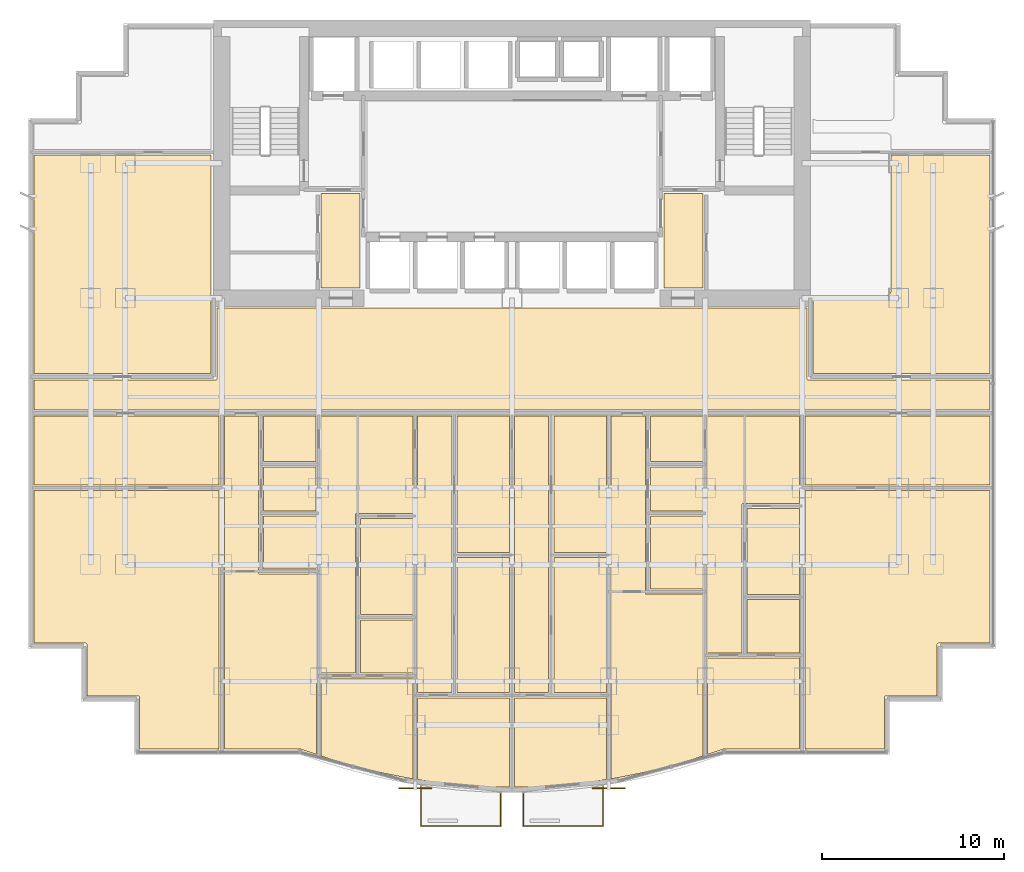
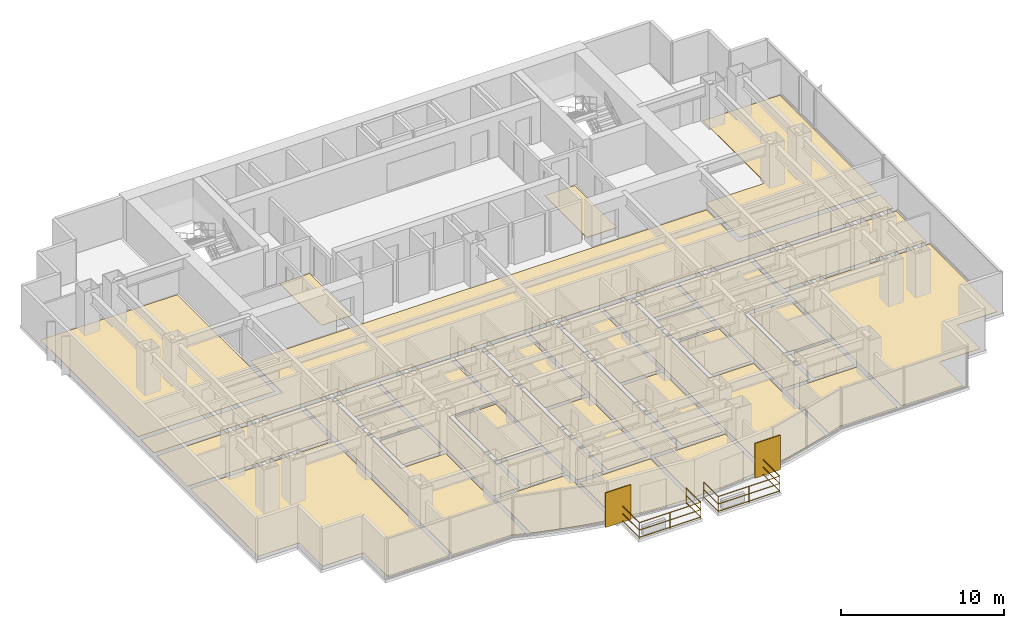
# One storey, part 11 of 12: 33 coverings, 2 railings, 2 shading devices.
"""IFC4 building model written with IfcOpenShell, lengths in metres."""

from ifc_helpers import new_model, si_unit, direction, frame, origin, origin_2d, place, context, subcontext, project, spatial, polyline, rectangle, circle, outline, extrude, source, transform, mapped, material, layer, layer_set, type_object, element, save


model = new_model("IFC4")

# Units and contexts
model_context = context("Model", 3, precision=1e-05, world=origin(), true_north=direction((0.0, 1.0)))
body_context = subcontext(model_context, "Body", "Model", "MODEL_VIEW")
ifc_project = project(units=[si_unit("LENGTHUNIT", "METRE"), si_unit("AREAUNIT", "SQUARE_METRE"), si_unit("VOLUMEUNIT", "CUBIC_METRE"), si_unit("PLANEANGLEUNIT", "RADIAN"), si_unit("MASSUNIT", "GRAM", prefix="KILO")], contexts=[model_context])

# Site, building, storey
site_placement = place(None, origin())
site = spatial("IfcSite", under=ifc_project, at=site_placement, CompositionType="ELEMENT")
building_placement = place(site_placement, origin())
building = spatial("IfcBuilding", under=site, at=building_placement, Name="Qianlan Lanfeng Residences", CompositionType="ELEMENT")
storey_placement = place(building_placement, frame((0.0, 0.0, 63.800048828125)))
storey = spatial("IfcBuildingStorey", under=building, at=storey_placement, Name="L17", CompositionType="ELEMENT", Elevation=63.800048828125)

# Coverings
ifc_material_1 = material(Name="Honed Taitung Granite Stone Flooring", Category="masonry")
ifc_layer_1 = layer(ifc_material_1, 0.030029296875)
ifc_layer_set_1 = layer_set([ifc_layer_1], Name="Honed Taitung Granite Stone Flooring")
covering_type_1 = type_object("IfcCoveringType", Name="FLR-STN-30", PredefinedType="FLOORING", material=ifc_layer_set_1)
covering_1_placement = place(storey_placement, origin())
element("IfcCovering", 1, at=covering_1_placement, inside=storey, type_object=covering_type_1, Name="L17 Residential Corridor Floor Finish", PredefinedType="FLOORING", context=body_context, shape_type="SweptSolid", body=[
    extrude(outline(polyline([(0.2900390625, 19.080078125), (52.7099609375, 19.080078125), (52.7099609375, 20.719970703125), (42.739990234375, 20.719970703125), (42.73291015625, 20.719970703125), (42.72607421875, 20.720947265625), (42.719970703125, 20.722900390625), (42.712890625, 20.72509765625), (42.70703125, 20.72802734375), (42.700927734375, 20.73193359375), (42.696044921875, 20.736083984375), (42.69091796875, 20.740966796875), (42.68603515625, 20.74609375), (42.681884765625, 20.7509765625), (42.677978515625, 20.757080078125), (42.675048828125, 20.762939453125), (42.673095703125, 20.77001953125), (42.6708984375, 20.77587890625), (42.669921875, 20.782958984375), (42.669921875, 20.7900390625), (42.669921875, 24.64990234375), (10.330078125, 24.64990234375), (10.330078125, 20.7900390625), (10.330078125, 20.782958984375), (10.3291015625, 20.77587890625), (10.326904296875, 20.77001953125), (10.324951171875, 20.762939453125), (10.322021484375, 20.757080078125), (10.318115234375, 20.7509765625), (10.31396484375, 20.74609375), (10.30908203125, 20.740966796875), (10.303955078125, 20.736083984375), (10.299072265625, 20.73193359375), (10.29296875, 20.72802734375), (10.287109375, 20.72509765625), (10.280029296875, 20.722900390625), (10.27392578125, 20.720947265625), (10.26708984375, 20.719970703125), (10.260009765625, 20.719970703125), (0.2900390625, 20.719970703125), (0.2900390625, 19.080078125)])), origin(), (0.0, 0.0, 1.0), 0.030029296875),
])
covering_2_placement = place(storey_placement, origin())
element("IfcCovering", 2, at=covering_2_placement, inside=storey, type_object=covering_type_1, Name="L17 Lift Lobby Floor Finish", PredefinedType="FLOORING", context=body_context, shape_type="SweptSolid", body=[
    extrude(outline(polyline([(16.030029296875, 25.760009765625), (18.169921875, 25.760009765625), (18.169921875, 30.949951171875), (16.030029296875, 30.949951171875), (16.030029296875, 25.760009765625)])), origin(), (0.0, 0.0, 1.0), 0.030029296875),
])
covering_3_placement = place(storey_placement, origin())
element("IfcCovering", 3, at=covering_3_placement, inside=storey, type_object=covering_type_1, Name="L17 Lift Lobby Floor Finish", PredefinedType="FLOORING", context=body_context, shape_type="SweptSolid", body=[
    extrude(outline(polyline([(34.830078125, 25.760009765625), (36.969970703125, 25.760009765625), (36.969970703125, 30.949951171875), (34.830078125, 30.949951171875), (34.830078125, 25.760009765625)])), origin(), (0.0, 0.0, 1.0), 0.030029296875),
])
ifc_material_2 = material(Name="Slip-Resistant Porcelain Tile Flooring")
ifc_layer_2 = layer(ifc_material_2, 0.02001953125)
ifc_layer_set_2 = layer_set([ifc_layer_2], Name="Slip-Resistant Porcelain Tile Flooring")
covering_type_2 = type_object("IfcCoveringType", Name="FLR-TIL-20", PredefinedType="FLOORING", material=ifc_layer_set_2)
covering_4_placement = place(storey_placement, origin())
element("IfcCovering", 4, at=covering_4_placement, inside=storey, type_object=covering_type_2, Name="L17 Kitchen Floor Finish", PredefinedType="FLOORING", context=body_context, shape_type="SweptSolid", body=[
    extrude(outline(polyline([(12.889892578125, 13.5400390625), (15.760009765625, 13.5400390625), (15.760009765625, 15.9599609375), (12.889892578125, 15.9599609375), (12.889892578125, 13.5400390625)])), origin(), (0.0, 0.0, 1.0), 0.02001953125),
])
covering_5_placement = place(storey_placement, origin())
element("IfcCovering", 5, at=covering_5_placement, inside=storey, type_object=covering_type_2, Name="L17 Bathroom Floor Finish", PredefinedType="FLOORING", context=body_context, shape_type="SweptSolid", body=[
    extrude(outline(polyline([(12.889892578125, 16.239990234375), (15.760009765625, 16.239990234375), (15.760009765625, 18.72998046875), (12.889892578125, 18.72998046875), (12.889892578125, 16.239990234375)])), origin(), (0.0, 0.0, 1.0), 0.02001953125),
])
covering_6_placement = place(storey_placement, origin())
element("IfcCovering", 6, at=covering_6_placement, inside=storey, type_object=covering_type_2, Name="L17 En-Suite Bathroom Floor Finish", PredefinedType="FLOORING", context=body_context, shape_type="SweptSolid", body=[
    extrude(outline(polyline([(18.18994140625, 4.652099609375), (21.070068359375, 4.652099609375), (21.070068359375, 7.572021484375), (18.18994140625, 7.572021484375), (18.18994140625, 4.652099609375)])), origin(), (0.0, 0.0, 1.0), 0.02001953125),
])
covering_7_placement = place(storey_placement, origin())
element("IfcCovering", 7, at=covering_7_placement, inside=storey, type_object=covering_type_2, Name="L17 Kitchen Floor Finish", PredefinedType="FLOORING", context=body_context, shape_type="SweptSolid", body=[
    extrude(outline(polyline([(34.090087890625, 13.5400390625), (36.9599609375, 13.5400390625), (36.9599609375, 15.9599609375), (34.090087890625, 15.9599609375), (34.090087890625, 13.5400390625)])), origin(), (0.0, 0.0, 1.0), 0.02001953125),
])
covering_8_placement = place(storey_placement, origin())
element("IfcCovering", 8, at=covering_8_placement, inside=storey, type_object=covering_type_2, Name="L17 Bathroom Floor Finish", PredefinedType="FLOORING", context=body_context, shape_type="SweptSolid", body=[
    extrude(outline(polyline([(34.090087890625, 16.239990234375), (36.9599609375, 16.239990234375), (36.9599609375, 18.72998046875), (34.090087890625, 18.72998046875), (34.090087890625, 16.239990234375)])), origin(), (0.0, 0.0, 1.0), 0.02001953125),
])
covering_9_placement = place(storey_placement, origin())
element("IfcCovering", 9, at=covering_9_placement, inside=storey, type_object=covering_type_2, Name="L17 En-Suite Bathroom Floor Finish", PredefinedType="FLOORING", context=body_context, shape_type="SweptSolid", body=[
    extrude(outline(polyline([(39.389892578125, 5.760009765625), (42.27001953125, 5.760009765625), (42.27001953125, 8.679931640625), (39.389892578125, 8.679931640625), (39.389892578125, 5.760009765625)])), origin(), (0.0, 0.0, 1.0), 0.02001953125),
])
ifc_material_3 = material(Name="Engineered Smoked Oak Timber Flooring", Category="wood")
ifc_layer_3 = layer(ifc_material_3, 0.02197265625)
ifc_layer_set_3 = layer_set([ifc_layer_3], Name="Engineered Smoked Oak Timber Flooring")
covering_type_3 = type_object("IfcCoveringType", Name="FLR-TIM-22", PredefinedType="FLOORING", material=ifc_layer_set_3)
covering_10_placement = place(storey_placement, origin())
element("IfcCovering", 10, at=covering_10_placement, inside=storey, type_object=covering_type_3, Name="L17 Living and Dining Room Floor Finish", PredefinedType="FLOORING", context=body_context, shape_type="SweptSolid", body=[
    extrude(outline(polyline([(15.77001953125, 0.195068359375), (15.77001953125, 10.080078125), (12.679931640625, 10.080078125), (12.673095703125, 10.080078125), (12.666015625, 10.0810546875), (12.659912109375, 10.0830078125), (12.653076171875, 10.0849609375), (12.64697265625, 10.087890625), (12.64111328125, 10.092041015625), (12.635986328125, 10.095947265625), (12.631103515625, 10.10107421875), (12.6259765625, 10.10595703125), (12.6220703125, 10.111083984375), (12.617919921875, 10.116943359375), (12.614990234375, 10.123046875), (12.613037109375, 10.1298828125), (12.611083984375, 10.135986328125), (12.610107421875, 10.14306640625), (12.610107421875, 10.14990234375), (12.610107421875, 18.72998046875), (10.72998046875, 18.72998046875), (10.72998046875, 0.489990234375), (14.885986328125, 0.489990234375), (14.89404296875, 0.489990234375), (14.90087890625, 0.488037109375), (14.908935546875, 0.486083984375), (15.77001953125, 0.195068359375)])), origin(), (0.0, 0.0, 1.0), 0.02197265625),
])
covering_11_placement = place(storey_placement, origin())
element("IfcCovering", 11, at=covering_11_placement, inside=storey, type_object=covering_type_3, Name="L17 Private Study Floor Finish", PredefinedType="FLOORING", context=body_context, shape_type="SweptSolid", body=[
    extrude(outline(polyline([(12.889892578125, 13.260009765625), (12.889892578125, 10.360107421875), (15.77001953125, 10.360107421875), (15.77001953125, 13.260009765625), (12.889892578125, 13.260009765625)])), origin(), (0.0, 0.0, 1.0), 0.02197265625),
])
covering_12_placement = place(storey_placement, origin())
element("IfcCovering", 12, at=covering_12_placement, inside=storey, type_object=covering_type_3, Name="L17 Private Study Floor Finish", PredefinedType="FLOORING", context=body_context, shape_type="SweptSolid", body=[
    extrude(outline(polyline([(18.18994140625, 7.85205078125), (21.070068359375, 7.85205078125), (21.070068359375, 13.115966796875), (18.18994140625, 13.115966796875), (18.18994140625, 7.85205078125)])), origin(), (0.0, 0.0, 1.0), 0.02197265625),
])
covering_13_placement = place(storey_placement, origin())
element("IfcCovering", 13, at=covering_13_placement, inside=storey, type_object=covering_type_3, Name="L17 Villa Family Sitting Room Floor Finish", PredefinedType="FLOORING", context=body_context, shape_type="SweptSolid", body=[
    extrude(outline(polyline([(16.030029296875, 4.652099609375), (17.909912109375, 4.652099609375), (17.909912109375, 13.325927734375), (17.909912109375, 13.3330078125), (17.910888671875, 13.340087890625), (17.9130859375, 13.345947265625), (17.9150390625, 13.35302734375), (17.91796875, 13.35888671875), (17.922119140625, 13.364990234375), (17.926025390625, 13.3701171875), (17.930908203125, 13.375), (17.93603515625, 13.3798828125), (17.94091796875, 13.384033203125), (17.947021484375, 13.387939453125), (17.952880859375, 13.39111328125), (17.9599609375, 13.39306640625), (17.966064453125, 13.39501953125), (17.972900390625, 13.39599609375), (17.97998046875, 13.39599609375), (21.070068359375, 13.39599609375), (21.070068359375, 18.72998046875), (16.030029296875, 18.72998046875), (16.030029296875, 4.652099609375)])), origin(), (0.0, 0.0, 1.0), 0.02197265625),
])
covering_14_placement = place(storey_placement, origin())
element("IfcCovering", 14, at=covering_14_placement, inside=storey, type_object=covering_type_3, Name="L17 Master Bedroom Floor Finish", PredefinedType="FLOORING", context=body_context, shape_type="SweptSolid", body=[
    extrude(outline(polyline([(16.030029296875, 4.3720703125), (16.030029296875, 0.10693359375), (16.39306640625, -0.014892578125), (17.837890625, -0.43896484375), (19.282958984375, -0.797119140625), (20.72607421875, -1.090087890625), (21.070068359375, -1.14404296875), (21.070068359375, 4.3720703125), (16.030029296875, 4.3720703125)])), origin(), (0.0, 0.0, 1.0), 0.02197265625),
])
covering_15_placement = place(storey_placement, origin())
element("IfcCovering", 15, at=covering_15_placement, inside=storey, type_object=covering_type_3, Name="L17 Bedroom Floor Finish", PredefinedType="FLOORING", context=body_context, shape_type="SweptSolid", body=[
    extrude(outline(polyline([(21.330078125, 3.2939453125), (21.330078125, -1.18505859375), (22.169921875, -1.318115234375), (23.613037109375, -1.47998046875), (25.056884765625, -1.576904296875), (26.3701171875, -1.60693359375), (26.3701171875, 3.2939453125), (21.330078125, 3.2939453125)])), origin(), (0.0, 0.0, 1.0), 0.02197265625),
])
covering_16_placement = place(storey_placement, origin())
element("IfcCovering", 16, at=covering_16_placement, inside=storey, type_object=covering_type_3, Name="L17 Private Study Floor Finish", PredefinedType="FLOORING", context=body_context, shape_type="SweptSolid", body=[
    extrude(outline(polyline([(23.489990234375, 3.573974609375), (26.3701171875, 3.573974609375), (26.3701171875, 10.97705078125), (23.489990234375, 10.97705078125), (23.489990234375, 3.573974609375)])), origin(), (0.0, 0.0, 1.0), 0.02197265625),
])
covering_17_placement = place(storey_placement, origin())
element("IfcCovering", 17, at=covering_17_placement, inside=storey, type_object=covering_type_3, Name="L17 Yoga Studio Floor Finish", PredefinedType="FLOORING", context=body_context, shape_type="SweptSolid", body=[
    extrude(outline(polyline([(23.489990234375, 11.257080078125), (26.3701171875, 11.257080078125), (26.3701171875, 18.72998046875), (23.489990234375, 18.72998046875), (23.489990234375, 11.257080078125)])), origin(), (0.0, 0.0, 1.0), 0.02197265625),
])
covering_18_placement = place(storey_placement, origin())
element("IfcCovering", 18, at=covering_18_placement, inside=storey, type_object=covering_type_3, Name="L17 Home Office Floor Finish", PredefinedType="FLOORING", context=body_context, shape_type="SweptSolid", body=[
    extrude(outline(polyline([(21.330078125, 3.573974609375), (23.2099609375, 3.573974609375), (23.2099609375, 18.72998046875), (21.330078125, 18.72998046875), (21.330078125, 3.573974609375)])), origin(), (0.0, 0.0, 1.0), 0.02197265625),
])
covering_19_placement = place(storey_placement, origin())
element("IfcCovering", 19, at=covering_19_placement, inside=storey, type_object=covering_type_3, Name="L17 Guest Bedroom Floor Finish", PredefinedType="FLOORING", context=body_context, shape_type="SweptSolid", body=[
    extrude(outline(polyline([(26.6298828125, 3.2939453125), (26.6298828125, -1.60693359375), (27.943115234375, -1.576904296875), (29.385986328125, -1.47998046875), (30.830078125, -1.318115234375), (31.669921875, -1.18505859375), (31.669921875, 3.2939453125), (26.6298828125, 3.2939453125)])), origin(), (0.0, 0.0, 1.0), 0.02197265625),
])
covering_20_placement = place(storey_placement, origin())
element("IfcCovering", 20, at=covering_20_placement, inside=storey, type_object=covering_type_3, Name="L17 Private Study Floor Finish", PredefinedType="FLOORING", context=body_context, shape_type="SweptSolid", body=[
    extrude(outline(polyline([(28.7900390625, 3.573974609375), (31.669921875, 3.573974609375), (31.669921875, 10.97705078125), (28.7900390625, 10.97705078125), (28.7900390625, 3.573974609375)])), origin(), (0.0, 0.0, 1.0), 0.02197265625),
])
covering_21_placement = place(storey_placement, origin())
element("IfcCovering", 21, at=covering_21_placement, inside=storey, type_object=covering_type_3, Name="L17 Yoga Studio Floor Finish", PredefinedType="FLOORING", context=body_context, shape_type="SweptSolid", body=[
    extrude(outline(polyline([(28.7900390625, 11.257080078125), (31.669921875, 11.257080078125), (31.669921875, 18.72998046875), (28.7900390625, 18.72998046875), (28.7900390625, 11.257080078125)])), origin(), (0.0, 0.0, 1.0), 0.02197265625),
])
covering_22_placement = place(storey_placement, origin())
element("IfcCovering", 22, at=covering_22_placement, inside=storey, type_object=covering_type_3, Name="L17 Home Office Floor Finish", PredefinedType="FLOORING", context=body_context, shape_type="SweptSolid", body=[
    extrude(outline(polyline([(26.6298828125, 3.573974609375), (28.510009765625, 3.573974609375), (28.510009765625, 18.72998046875), (26.6298828125, 18.72998046875), (26.6298828125, 3.573974609375)])), origin(), (0.0, 0.0, 1.0), 0.02197265625),
])
covering_23_placement = place(storey_placement, origin())
element("IfcCovering", 23, at=covering_23_placement, inside=storey, type_object=covering_type_3, Name="L17 Living and Dining Room Floor Finish", PredefinedType="FLOORING", context=body_context, shape_type="SweptSolid", body=[
    extrude(outline(polyline([(36.969970703125, 0.10693359375), (36.969970703125, 8.972900390625), (33.8798828125, 8.972900390625), (33.873046875, 8.972900390625), (33.865966796875, 8.97412109375), (33.860107421875, 8.97607421875), (33.85302734375, 8.97802734375), (33.846923828125, 8.98095703125), (33.841064453125, 8.985107421875), (33.8359375, 8.989013671875), (33.8310546875, 8.993896484375), (33.825927734375, 8.9990234375), (33.822021484375, 9.00390625), (33.818115234375, 9.010009765625), (33.81494140625, 9.01611328125), (33.81298828125, 9.02294921875), (33.81103515625, 9.029052734375), (33.81005859375, 9.035888671875), (33.81005859375, 9.04296875), (33.81005859375, 18.72998046875), (31.929931640625, 18.72998046875), (31.929931640625, -1.14404296875), (32.27392578125, -1.090087890625), (33.717041015625, -0.797119140625), (35.160888671875, -0.43896484375), (36.60693359375, -0.014892578125), (36.969970703125, 0.10693359375)])), origin(), (0.0, 0.0, 1.0), 0.02197265625),
])
covering_24_placement = place(storey_placement, origin())
element("IfcCovering", 24, at=covering_24_placement, inside=storey, type_object=covering_type_3, Name="L17 Villa Family Sitting Room Floor Finish", PredefinedType="FLOORING", context=body_context, shape_type="SweptSolid", body=[
    extrude(outline(polyline([(34.090087890625, 13.260009765625), (34.090087890625, 9.2529296875), (36.969970703125, 9.2529296875), (36.969970703125, 13.260009765625), (34.090087890625, 13.260009765625)])), origin(), (0.0, 0.0, 1.0), 0.02197265625),
])
covering_25_placement = place(storey_placement, origin())
element("IfcCovering", 25, at=covering_25_placement, inside=storey, type_object=covering_type_3, Name="L17 Private Study Floor Finish", PredefinedType="FLOORING", context=body_context, shape_type="SweptSolid", body=[
    extrude(outline(polyline([(39.389892578125, 8.9599609375), (42.27001953125, 8.9599609375), (42.27001953125, 13.669921875), (39.389892578125, 13.669921875), (39.389892578125, 8.9599609375)])), origin(), (0.0, 0.0, 1.0), 0.02197265625),
])
covering_26_placement = place(storey_placement, origin())
element("IfcCovering", 26, at=covering_26_placement, inside=storey, type_object=covering_type_3, Name="L17 Villa Family Sitting Room Floor Finish", PredefinedType="FLOORING", context=body_context, shape_type="SweptSolid", body=[
    extrude(outline(polyline([(37.22998046875, 5.760009765625), (39.110107421875, 5.760009765625), (39.110107421875, 13.8798828125), (39.110107421875, 13.886962890625), (39.111083984375, 13.89404296875), (39.113037109375, 13.89990234375), (39.114990234375, 13.906982421875), (39.117919921875, 13.9130859375), (39.1220703125, 13.9189453125), (39.1259765625, 13.924072265625), (39.131103515625, 13.928955078125), (39.135986328125, 13.93408203125), (39.14111328125, 13.93798828125), (39.14697265625, 13.94189453125), (39.153076171875, 13.945068359375), (39.159912109375, 13.947021484375), (39.166015625, 13.948974609375), (39.173095703125, 13.949951171875), (39.179931640625, 13.949951171875), (42.27001953125, 13.949951171875), (42.27001953125, 18.72998046875), (37.22998046875, 18.72998046875), (37.22998046875, 5.760009765625)])), origin(), (0.0, 0.0, 1.0), 0.02197265625),
])
covering_27_placement = place(storey_placement, origin())
element("IfcCovering", 27, at=covering_27_placement, inside=storey, type_object=covering_type_3, Name="L17 Master Bedroom Floor Finish", PredefinedType="FLOORING", context=body_context, shape_type="SweptSolid", body=[
    extrude(outline(polyline([(37.22998046875, 5.47998046875), (37.22998046875, 0.195068359375), (38.091064453125, 0.486083984375), (38.09912109375, 0.488037109375), (38.10595703125, 0.489990234375), (38.114013671875, 0.489990234375), (42.27001953125, 0.489990234375), (42.27001953125, 5.47998046875), (37.22998046875, 5.47998046875)])), origin(), (0.0, 0.0, 1.0), 0.02197265625),
])
covering_28_placement = place(storey_placement, origin())
element("IfcCovering", 28, at=covering_28_placement, inside=storey, type_object=covering_type_3, Name="L17 Sunroom Floor Finish", PredefinedType="FLOORING", context=body_context, shape_type="SweptSolid", body=[
    extrude(outline(polyline([(10.43994140625, 14.64990234375), (0.2900390625, 14.64990234375), (0.2900390625, 6.2900390625), (3.1201171875, 6.2900390625), (3.126953125, 6.2900390625), (3.134033203125, 6.2890625), (3.139892578125, 6.287109375), (3.14697265625, 6.284912109375), (3.153076171875, 6.281982421875), (3.158935546875, 6.278076171875), (3.1640625, 6.27392578125), (3.1689453125, 6.26904296875), (3.174072265625, 6.263916015625), (3.177978515625, 6.259033203125), (3.181884765625, 6.2529296875), (3.18505859375, 6.2470703125), (3.18701171875, 6.239990234375), (3.18896484375, 6.23388671875), (3.18994140625, 6.22705078125), (3.18994140625, 6.219970703125), (3.18994140625, 3.389892578125), (6.02001953125, 3.389892578125), (6.027099609375, 3.389892578125), (6.033935546875, 3.388916015625), (6.0400390625, 3.386962890625), (6.047119140625, 3.385009765625), (6.052978515625, 3.382080078125), (6.05908203125, 3.3779296875), (6.06396484375, 3.3740234375), (6.069091796875, 3.368896484375), (6.073974609375, 3.364013671875), (6.077880859375, 3.35888671875), (6.08203125, 3.35302734375), (6.0849609375, 3.346923828125), (6.0869140625, 3.340087890625), (6.089111328125, 3.333984375), (6.090087890625, 3.326904296875), (6.090087890625, 3.320068359375), (6.090087890625, 0.489990234375), (10.43994140625, 0.489990234375), (10.43994140625, 14.64990234375)])), origin(), (0.0, 0.0, 1.0), 0.02197265625),
])
covering_29_placement = place(storey_placement, origin())
element("IfcCovering", 29, at=covering_29_placement, inside=storey, type_object=covering_type_3, Name="L17 Family Sitting Room Floor Finish", PredefinedType="FLOORING", context=body_context, shape_type="SweptSolid", body=[
    extrude(outline(polyline([(10.43994140625, 18.72998046875), (0.2900390625, 18.72998046875), (0.2900390625, 14.949951171875), (10.43994140625, 14.949951171875), (10.43994140625, 18.72998046875)])), origin(), (0.0, 0.0, 1.0), 0.02197265625),
])
covering_30_placement = place(storey_placement, origin())
element("IfcCovering", 30, at=covering_30_placement, inside=storey, type_object=covering_type_3, Name="L17 Sunroom Floor Finish", PredefinedType="FLOORING", context=body_context, shape_type="SweptSolid", body=[
    extrude(outline(polyline([(52.7099609375, 14.64990234375), (42.56005859375, 14.64990234375), (42.56005859375, 0.489990234375), (46.909912109375, 0.489990234375), (46.909912109375, 3.320068359375), (46.909912109375, 3.326904296875), (46.910888671875, 3.333984375), (46.9130859375, 3.340087890625), (46.9150390625, 3.346923828125), (46.91796875, 3.35302734375), (46.922119140625, 3.35888671875), (46.926025390625, 3.364013671875), (46.930908203125, 3.368896484375), (46.93603515625, 3.3740234375), (46.94091796875, 3.3779296875), (46.947021484375, 3.382080078125), (46.952880859375, 3.385009765625), (46.9599609375, 3.386962890625), (46.966064453125, 3.388916015625), (46.972900390625, 3.389892578125), (46.97998046875, 3.389892578125), (49.81005859375, 3.389892578125), (49.81005859375, 6.219970703125), (49.81005859375, 6.22705078125), (49.81103515625, 6.23388671875), (49.81298828125, 6.239990234375), (49.81494140625, 6.2470703125), (49.818115234375, 6.2529296875), (49.822021484375, 6.259033203125), (49.825927734375, 6.263916015625), (49.8310546875, 6.26904296875), (49.8359375, 6.27392578125), (49.841064453125, 6.278076171875), (49.846923828125, 6.281982421875), (49.85302734375, 6.284912109375), (49.860107421875, 6.287109375), (49.865966796875, 6.2890625), (49.873046875, 6.2900390625), (49.8798828125, 6.2900390625), (52.7099609375, 6.2900390625), (52.7099609375, 14.64990234375)])), origin(), (0.0, 0.0, 1.0), 0.02197265625),
])
covering_31_placement = place(storey_placement, origin())
element("IfcCovering", 31, at=covering_31_placement, inside=storey, type_object=covering_type_3, Name="L17 Private Study Floor Finish", PredefinedType="FLOORING", context=body_context, shape_type="SweptSolid", body=[
    extrude(outline(polyline([(52.7099609375, 18.72998046875), (42.56005859375, 18.72998046875), (42.56005859375, 14.949951171875), (52.7099609375, 14.949951171875), (52.7099609375, 18.72998046875)])), origin(), (0.0, 0.0, 1.0), 0.02197265625),
])
covering_32_placement = place(storey_placement, origin())
element("IfcCovering", 32, at=covering_32_placement, inside=storey, type_object=covering_type_3, Name="L17 Fitness Gymnasium Floor Finish", PredefinedType="FLOORING", context=body_context, shape_type="SweptSolid", body=[
    extrude(outline(polyline([(10.0, 33.050048828125), (0.2900390625, 33.050048828125), (0.2900390625, 21.080078125), (10.0, 21.080078125), (10.0, 33.050048828125)])), origin(), (0.0, 0.0, 1.0), 0.02197265625),
])
covering_33_placement = place(storey_placement, origin())
element("IfcCovering", 33, at=covering_33_placement, inside=storey, type_object=covering_type_3, Name="L17 Fitness Gymnasium Floor Finish", PredefinedType="FLOORING", context=body_context, shape_type="SweptSolid", body=[
    extrude(outline(polyline([(52.7099609375, 33.050048828125), (47.27001953125, 33.050048828125), (47.27001953125, 25.60009765625), (47.26904296875, 25.574951171875), (47.264892578125, 25.551025390625), (47.259033203125, 25.527099609375), (47.2509765625, 25.50390625), (47.239990234375, 25.48193359375), (47.22802734375, 25.4609375), (47.212890625, 25.44091796875), (47.197021484375, 25.423095703125), (47.178955078125, 25.406982421875), (47.158935546875, 25.39208984375), (47.137939453125, 25.3798828125), (47.115966796875, 25.368896484375), (47.093017578125, 25.361083984375), (47.069091796875, 25.35498046875), (47.044921875, 25.35107421875), (47.02001953125, 25.35009765625), (43.080078125, 25.35009765625), (43.054931640625, 25.35107421875), (43.031005859375, 25.35498046875), (43.007080078125, 25.361083984375), (43.0, 25.363037109375), (43.0, 21.080078125), (52.7099609375, 21.080078125), (52.7099609375, 33.050048828125)])), origin(), (0.0, 0.0, 1.0), 0.02197265625),
])

# Railings
ifc_material_4 = material(Name="Anodised Bronze Aluminium and Laminated Glass Guard Balustrade", Category="aluminium")
railing_type = type_object("IfcRailingType", Name="GR-EXT-1220", PredefinedType="BALUSTRADE", material=ifc_material_4)
railing_1_placement = place(storey_placement, frame((25.8798828125, -1.9560546875, 0.0)))
element("IfcRailing", 34, at=railing_1_placement, inside=storey, type_object=railing_type, Name="L17 Terrace Safety Guard GR-L17-SB-W", PredefinedType="BALUSTRADE", context=body_context, shape_type="SweptSolid", body=[
    extrude(circle(Radius=0.02490234375, at=origin_2d()), frame((0.0, 0.0, 0.0849609375), z_axis=(0.0, -1.0, 0.0), x_axis=(1.0, 0.0, 0.0)), (0.0, 0.0, 1.0), 1.77392578125),
    extrude(circle(Radius=0.02490234375, at=origin_2d()), frame((0.0, 0.0, 0.63427734375), z_axis=(0.0, -1.0, 0.0), x_axis=(1.0, 0.0, 0.0)), (0.0, 0.0, 1.0), 1.77392578125),
    extrude(circle(Radius=0.02490234375, at=origin_2d()), frame((0.0, 0.0, 1.19482421875), z_axis=(0.0, -1.0, 0.0), x_axis=(1.0, 0.0, 0.0)), (0.0, 0.0, 1.0), 1.77392578125),
    extrude(circle(Radius=0.02490234375, at=origin_2d()), frame((0.0, -1.77392578125, 0.0849609375), z_axis=(-1.0, 0.0, 0.0), x_axis=(0.0, -1.0, 0.0)), (0.0, 0.0, 1.0), 4.35986328125),
    extrude(circle(Radius=0.02490234375, at=origin_2d()), frame((0.0, -1.77392578125, 0.63427734375), z_axis=(-1.0, 0.0, 0.0), x_axis=(0.0, -1.0, 0.0)), (0.0, 0.0, 1.0), 4.35986328125),
    extrude(circle(Radius=0.02490234375, at=origin_2d()), frame((0.0, -1.77392578125, 1.19482421875), z_axis=(-1.0, 0.0, 0.0), x_axis=(0.0, -1.0, 0.0)), (0.0, 0.0, 1.0), 4.35986328125),
    extrude(circle(Radius=0.02490234375, at=origin_2d()), frame((-4.35986328125, -1.77392578125, 0.0849609375), z_axis=(0.0, 1.0, 0.0), x_axis=(-1.0, 0.0, 0.0)), (0.0, 0.0, 1.0), 2.15087890625),
    extrude(circle(Radius=0.02490234375, at=origin_2d()), frame((-4.35986328125, -1.77392578125, 0.63427734375), z_axis=(0.0, 1.0, 0.0), x_axis=(-1.0, 0.0, 0.0)), (0.0, 0.0, 1.0), 2.15087890625),
    extrude(circle(Radius=0.02490234375, at=origin_2d()), frame((-4.35986328125, -1.77392578125, 1.19482421875), z_axis=(0.0, 1.0, 0.0), x_axis=(-1.0, 0.0, 0.0)), (0.0, 0.0, 1.0), 2.15087890625),
    extrude(circle(Radius=0.02099609375, at=origin_2d()), origin(), (0.0, 0.0, 1.0), 1.169921875),
    extrude(circle(Radius=0.02099609375, at=origin_2d()), frame((0.0, -1.77392578125, 0.0)), (0.0, 0.0, 1.0), 1.169921875),
    extrude(circle(Radius=0.02099609375, at=origin_2d()), frame((-2.179931640625, -1.77392578125, 0.0)), (0.0, 0.0, 1.0), 1.169921875),
    extrude(circle(Radius=0.02099609375, at=origin_2d()), frame((-4.35986328125, -1.77392578125, 0.0)), (0.0, 0.0, 1.0), 1.169921875),
    extrude(circle(Radius=0.02099609375, at=origin_2d()), frame((-4.35986328125, 0.376953125, 0.0)), (0.0, 0.0, 1.0), 1.169921875),
])
railing_2_placement = place(storey_placement, frame((31.47998046875, -1.5791015625, 0.0)))
element("IfcRailing", 35, at=railing_2_placement, inside=storey, type_object=railing_type, Name="L17 Terrace Safety Guard GR-L17-SB-E", PredefinedType="BALUSTRADE", context=body_context, shape_type="SweptSolid", body=[
    extrude(circle(Radius=0.02490234375, at=origin_2d()), frame((0.0, 0.0, 0.0849609375), z_axis=(0.0, -1.0, 0.0), x_axis=(1.0, 0.0, 0.0)), (0.0, 0.0, 1.0), 2.15087890625),
    extrude(circle(Radius=0.02490234375, at=origin_2d()), frame((0.0, 0.0, 0.63427734375), z_axis=(0.0, -1.0, 0.0), x_axis=(1.0, 0.0, 0.0)), (0.0, 0.0, 1.0), 2.15087890625),
    extrude(circle(Radius=0.02490234375, at=origin_2d()), frame((0.0, 0.0, 1.19482421875), z_axis=(0.0, -1.0, 0.0), x_axis=(1.0, 0.0, 0.0)), (0.0, 0.0, 1.0), 2.15087890625),
    extrude(circle(Radius=0.02490234375, at=origin_2d()), frame((0.0, -2.15087890625, 0.0849609375), z_axis=(-1.0, 0.0, 0.0), x_axis=(0.0, -1.0, 0.0)), (0.0, 0.0, 1.0), 4.35986328125),
    extrude(circle(Radius=0.02490234375, at=origin_2d()), frame((0.0, -2.15087890625, 0.63427734375), z_axis=(-1.0, 0.0, 0.0), x_axis=(0.0, -1.0, 0.0)), (0.0, 0.0, 1.0), 4.35986328125),
    extrude(circle(Radius=0.02490234375, at=origin_2d()), frame((0.0, -2.15087890625, 1.19482421875), z_axis=(-1.0, 0.0, 0.0), x_axis=(0.0, -1.0, 0.0)), (0.0, 0.0, 1.0), 4.35986328125),
    extrude(circle(Radius=0.02490234375, at=origin_2d()), frame((-4.35986328125, -2.15087890625, 0.0849609375), z_axis=(0.0, 1.0, 0.0), x_axis=(-1.0, 0.0, 0.0)), (0.0, 0.0, 1.0), 1.77392578125),
    extrude(circle(Radius=0.02490234375, at=origin_2d()), frame((-4.35986328125, -2.15087890625, 0.63427734375), z_axis=(0.0, 1.0, 0.0), x_axis=(-1.0, 0.0, 0.0)), (0.0, 0.0, 1.0), 1.77392578125),
    extrude(circle(Radius=0.02490234375, at=origin_2d()), frame((-4.35986328125, -2.15087890625, 1.19482421875), z_axis=(0.0, 1.0, 0.0), x_axis=(-1.0, 0.0, 0.0)), (0.0, 0.0, 1.0), 1.77392578125),
    extrude(circle(Radius=0.02099609375, at=origin_2d()), origin(), (0.0, 0.0, 1.0), 1.169921875),
    extrude(circle(Radius=0.02099609375, at=origin_2d()), frame((0.0, -2.15087890625, 0.0)), (0.0, 0.0, 1.0), 1.169921875),
    extrude(circle(Radius=0.02099609375, at=origin_2d()), frame((-2.179931640625, -2.15087890625, 0.0)), (0.0, 0.0, 1.0), 1.169921875),
    extrude(circle(Radius=0.02099609375, at=origin_2d()), frame((-4.35986328125, -2.15087890625, 0.0)), (0.0, 0.0, 1.0), 1.169921875),
    extrude(circle(Radius=0.02099609375, at=origin_2d()), frame((-4.35986328125, -0.376953125, 0.0)), (0.0, 0.0, 1.0), 1.169921875),
])

# Shading devices
ifc_material_5 = material(Name="Perforated Bronze Aluminium Solar Screen", Category="aluminium")
shading_device_type = type_object("IfcShadingDeviceType", Name="SCR-BRZ-1800", PredefinedType="JALOUSIE", material=ifc_material_5)
shared_shape = source(origin(), body_context, "Body", "SweptSolid", [
    extrude(rectangle(XDim=1.800048828125, YDim=0.06005859375, at=origin_2d()), origin(), (0.0, 0.0, 1.0), 2.60009765625),
])
for number, where, z_axis, x_axis, name in (
    (36, (21.199951171875, -1.659912109375, 0.0), (0.0, 0.0, 1.0), (1.0, 0.0, 0.0), "L17 Perforated Bronze Solar Screen 1"),
    (37, (31.800048828125, -1.659912109375, 0.0), (0.0, 0.0, 1.0), (1.0, 0.0, 0.0), "L17 Perforated Bronze Solar Screen 2"),
):
    element("IfcShadingDevice", number, at=place(storey_placement, frame(where, z_axis=z_axis, x_axis=x_axis)), inside=storey, type_object=shading_device_type, Name=name, PredefinedType="JALOUSIE", context=body_context, shape_type="MappedRepresentation", body=[
        mapped(shared_shape, transform((0.0, 0.0, 0.0), scale=1.0)),
    ])

save(model, "model.ifc")
